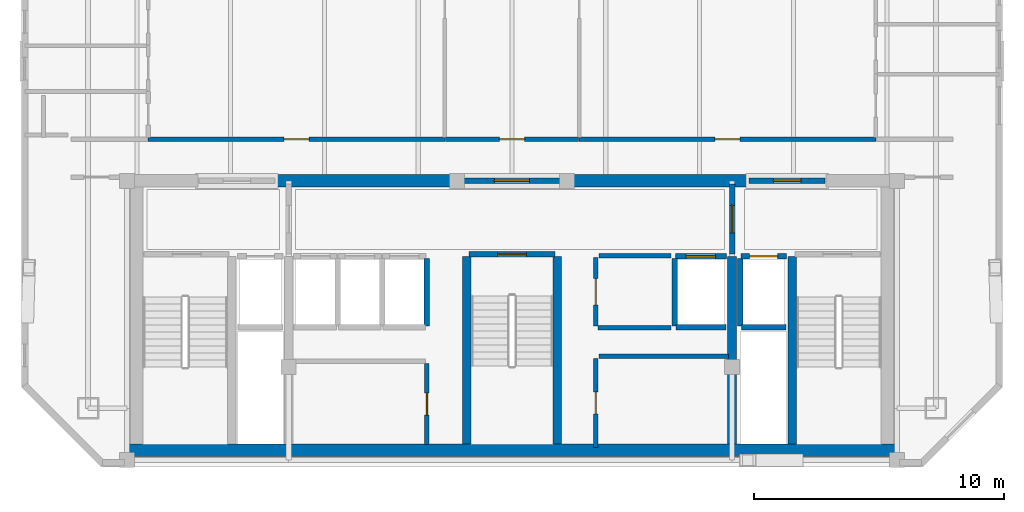
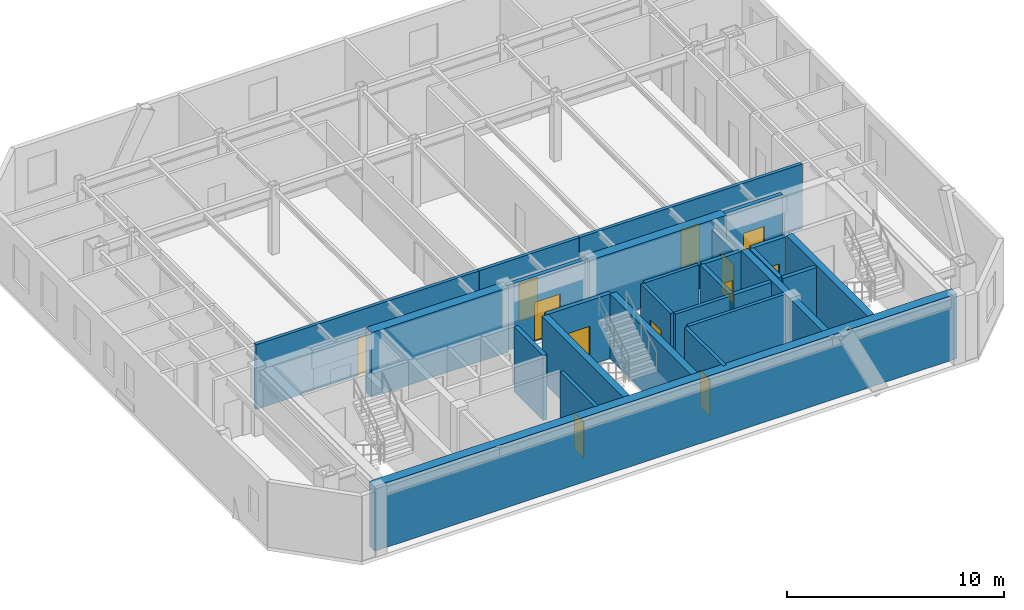
# One storey, part 3 of 7: 27 walls, 12 doors, 12 openings.
"""IFC4 building model written with IfcOpenShell, lengths in metres."""

from ifc_helpers import new_model, si_unit, direction, frame, frame_2d, origin, place, context, subcontext, project, spatial, rectangle, extrude, material, layer, layer_set, type_object, element, fill, save


model = new_model("IFC4")

# Units and contexts
model_context = context("Model", 3, precision=1e-05, world=origin(), true_north=direction((0.0, 1.0)))
body_context = subcontext(model_context, "Body", "Model", "MODEL_VIEW")
ifc_project = project(units=[si_unit("LENGTHUNIT", "METRE"), si_unit("AREAUNIT", "SQUARE_METRE"), si_unit("VOLUMEUNIT", "CUBIC_METRE"), si_unit("PLANEANGLEUNIT", "RADIAN"), si_unit("MASSUNIT", "GRAM", prefix="KILO")], contexts=[model_context])

# Site, building, storey
site_placement = place(None, origin())
site = spatial("IfcSite", under=ifc_project, at=site_placement, CompositionType="ELEMENT")
building_placement = place(site_placement, origin())
building = spatial("IfcBuilding", under=site, at=building_placement, Name="Ventersveld Concourse Tower", CompositionType="ELEMENT")
storey_placement = place(building_placement, frame((0.0, 0.0, 324.60009765625)))
storey = spatial("IfcBuildingStorey", under=building, at=storey_placement, Name="L80", CompositionType="ELEMENT", Elevation=324.60009765625)

# Walls
ifc_material_1 = material(Name="Concrete C50/60", Category="concrete")
ifc_layer_1 = layer(ifc_material_1, 0.35009765625)
ifc_layer_set_1 = layer_set([ifc_layer_1], Name="Concrete C50/60")
wall_type_1 = type_object("IfcWallType", Name="WL-CORE-350U", PredefinedType="SHEAR", material=ifc_layer_set_1)
for number, where, z_axis, x_axis, name in (
    (1, (26.93994140625, 0.919921875, 0.0), (0.0, 0.0, 1.0), (0.0, 1.0, 0.0), "L80 Core Internal Shear Web W-ST3-W"),
    (2, (30.56005859375, 0.919921875, 0.0), (0.0, 0.0, 1.0), (0.0, 1.0, 0.0), "L80 Core Internal Shear Web W-ST3-E"),
    (3, (37.550048828125, 0.919921875, 0.0), (0.0, 0.0, 1.0), (0.0, 1.0, 0.0), "L80 Core Internal Shear Web W-SVL-W"),
    (4, (39.9599609375, 0.919921875, 0.0), (0.0, 0.0, 1.0), (0.0, 1.0, 0.0), "L80 Core Internal Shear Web W-ST2-W"),
):
    element("IfcWall", number, at=place(storey_placement, frame(where, z_axis=z_axis, x_axis=x_axis)), inside=storey, type_object=wall_type_1, Name=name, PredefinedType="SHEAR", context=body_context, shape_type="SweptSolid", body=[
        extrude(rectangle(XDim=7.5, YDim=0.35009765625, at=frame_2d((3.75, 0.0))), origin(), (0.0, 0.0, 1.0), 3.64990234375),
    ])
ifc_layer_2 = layer(ifc_material_1, 0.5)
ifc_layer_set_2 = layer_set([ifc_layer_2], Name="Concrete C50/60")
wall_type_2 = type_object("IfcWallType", Name="WL-CORE-500", PredefinedType="SHEAR", material=ifc_layer_set_2)
wall_1_placement = place(storey_placement, frame((13.25, 0.669921875, 0.0), z_axis=(0.0, 0.0, 1.0), x_axis=(1.0, 0.0, 0.0)))
element("IfcWall", 5, at=wall_1_placement, inside=storey, type_object=wall_type_2, Name="L80 Rear Core South Shear Wall", PredefinedType="SHEAR", context=body_context, shape_type="SweptSolid", body=[
    extrude(rectangle(XDim=31.0, YDim=0.5, at=frame_2d((15.5, 0.0))), origin(), (0.0, 0.0, 1.0), 3.64990234375),
])
for number, where, z_axis, x_axis, name in (
    (6, (19.300048828125, 11.449951171875, 0.0), (0.0, 0.0, 1.0), (1.0, 0.0, 0.0), "L80 Rear Core North Shear Wall NML"),
    (7, (30.89990234375, 11.449951171875, 0.0), (0.0, 0.0, 1.0), (1.0, 0.0, 0.0), "L80 Rear Core North Shear Wall NMR"),
):
    element("IfcWall", number, at=place(storey_placement, frame(where, z_axis=z_axis, x_axis=x_axis)), inside=storey, type_object=wall_type_2, Name=name, PredefinedType="SHEAR", context=body_context, shape_type="SweptSolid", body=[
        extrude(rectangle(XDim=7.300048828125, YDim=0.5, at=frame_2d((3.64990234375, 0.0))), origin(), (0.0, 0.0, 1.0), 3.64990234375),
    ])

# Wall, opening, door
ifc_material_2 = material(Name="Fire-rated autoclaved aerated masonry blockwork", Category="masonry")
ifc_layer_3 = layer(ifc_material_2, 0.179931640625)
ifc_layer_set_3 = layer_set([ifc_layer_3], Name="Fire-rated autoclaved aerated masonry blockwork")
wall_type_3 = type_object("IfcWallType", Name="WL-CORR-180", PredefinedType="PARTITIONING", material=ifc_layer_set_3)
wall_2_placement = place(storey_placement, frame((25.35009765625, 0.89990234375, 0.0), z_axis=(0.0, 0.0, 1.0), x_axis=(0.0, 1.0, 0.0)))
wall_2 = element("IfcWall", 8, at=wall_2_placement, inside=storey, type_object=wall_type_3, Name="L80 Core Passage Wall SP-L80-RECB1A", PredefinedType="PARTITIONING", context=body_context, shape_type="SweptSolid", body=[
    extrude(rectangle(XDim=3.239990234375, YDim=0.179931640625, at=frame_2d((1.6201171875, 0.0))), origin(), (0.0, 0.0, 1.0), 3.64990234375),
])
opening_1_placement = place(wall_2_placement, frame((1.179931640625, 0.0, 0.0)))
opening_1 = element("IfcOpeningElement", 9, at=opening_1_placement, cuts=wall_2, Name="Opening FD5", PredefinedType="OPENING", context=body_context, shape_type="SweptSolid", body=[
    extrude(rectangle(XDim=0.8798828125, YDim=2.050048828125, at=frame_2d((0.43994140625, 1.02490234375))), frame((0.0, 0.10009765625, 0.0), z_axis=(0.0, -1.0, 0.0), x_axis=(1.0, 0.0, 0.0)), (0.0, 0.0, 1.0), 0.199951171875),
])
ifc_material_3 = material(Name="Galvanised painted steel", Category="steel")
door_type_1 = type_object("IfcDoorType", Name="DR-RISER-088", OperationType="NOTDEFINED", PredefinedType="DOOR", material=ifc_material_3)
door_1_placement = place(opening_1_placement, origin())
door_1 = element("IfcDoor", 10, at=door_1_placement, inside=storey, type_object=door_type_1, Name="L80 Core Room Door L80 Reclaimed Core Quiet Study Pod (CD-L80-3636)", OperationType="SINGLE_SWING_LEFT", OverallHeight=2.050048828125, OverallWidth=0.8798828125, PredefinedType="DOOR", context=body_context, shape_type="SweptSolid", body=[
    extrude(rectangle(XDim=0.8798828125, YDim=2.050048828125, at=frame_2d((0.43994140625, 1.02490234375))), frame((0.0, 0.02490234375, 0.0), z_axis=(0.0, -1.0, 0.0), x_axis=(1.0, 0.0, 0.0)), (0.0, 0.0, 1.0), 0.050048828125),
])
fill(opening_1, door_1)

wall_3_placement = place(storey_placement, frame((32.10009765625, 0.780029296875, 0.0), z_axis=(0.0, 0.0, 1.0), x_axis=(0.0, 1.0, 0.0)))
wall_3 = element("IfcWall", 11, at=wall_3_placement, inside=storey, type_object=wall_type_3, Name="L80 Core Passage Wall SP-L80-RECB2A", PredefinedType="PARTITIONING", context=body_context, shape_type="SweptSolid", body=[
    extrude(rectangle(XDim=3.570068359375, YDim=0.179931640625, at=frame_2d((1.78515625, 0.0))), origin(), (0.0, 0.0, 1.0), 3.64990234375),
])
opening_2_placement = place(wall_3_placement, frame((1.344970703125, 0.0, 0.0)))
opening_2 = element("IfcOpeningElement", 12, at=opening_2_placement, cuts=wall_3, Name="Opening FD5", PredefinedType="OPENING", context=body_context, shape_type="SweptSolid", body=[
    extrude(rectangle(XDim=0.8798828125, YDim=2.050048828125, at=frame_2d((0.43994140625, 1.02490234375))), frame((0.0, 0.10009765625, 0.0), z_axis=(0.0, -1.0, 0.0), x_axis=(1.0, 0.0, 0.0)), (0.0, 0.0, 1.0), 0.199951171875),
])
door_2_placement = place(opening_2_placement, origin())
door_2 = element("IfcDoor", 13, at=door_2_placement, inside=storey, type_object=door_type_1, Name="L80 Core Room Door L80 Reclaimed Core Co-Working Study (CD-L80-3637)", OperationType="SINGLE_SWING_RIGHT", OverallHeight=2.050048828125, OverallWidth=0.8798828125, PredefinedType="DOOR", context=body_context, shape_type="SweptSolid", body=[
    extrude(rectangle(XDim=0.8798828125, YDim=2.050048828125, at=frame_2d((0.43994140625, 1.02490234375))), frame((0.0, 0.02490234375, 0.0), z_axis=(0.0, -1.0, 0.0), x_axis=(1.0, 0.0, 0.0)), (0.0, 0.0, 1.0), 0.050048828125),
])
fill(opening_2, door_2)

# Wall
wall_4_placement = place(storey_placement, frame((32.219970703125, 4.429931640625, 0.0), z_axis=(0.0, 0.0, 1.0), x_axis=(1.0, 0.0, 0.0)))
element("IfcWall", 14, at=wall_4_placement, inside=storey, type_object=wall_type_3, Name="L80 Core Top Wall SP-L80-RECB2A", PredefinedType="PARTITIONING", context=body_context, shape_type="SweptSolid", body=[
    extrude(rectangle(XDim=5.179931640625, YDim=0.179931640625, at=frame_2d((2.58984375, 0.0))), origin(), (0.0, 0.0, 1.0), 3.64990234375),
])

# Wall, opening, door
wall_5_placement = place(storey_placement, frame((32.10009765625, 5.64990234375, 0.0), z_axis=(0.0, 0.0, 1.0), x_axis=(0.0, 1.0, 0.0)))
wall_5 = element("IfcWall", 15, at=wall_5_placement, inside=storey, type_object=wall_type_3, Name="L80 Core Passage Wall SP-L80-CBAY1", PredefinedType="PARTITIONING", context=body_context, shape_type="SweptSolid", body=[
    extrude(rectangle(XDim=2.72998046875, YDim=0.179931640625, at=frame_2d((1.364990234375, 0.0))), origin(), (0.0, 0.0, 1.0), 3.64990234375),
])
opening_3_placement = place(wall_5_placement, frame((0.840087890625, 0.0, 0.0)))
opening_3 = element("IfcOpeningElement", 16, at=opening_3_placement, cuts=wall_5, Name="Opening ID3", PredefinedType="OPENING", context=body_context, shape_type="SweptSolid", body=[
    extrude(rectangle(XDim=1.050048828125, YDim=2.14990234375, at=frame_2d((0.52490234375, 1.074951171875))), frame((0.0, 0.10009765625, 0.0), z_axis=(0.0, -1.0, 0.0), x_axis=(1.0, 0.0, 0.0)), (0.0, 0.0, 1.0), 0.199951171875),
])
ifc_material_4 = material(Name="Solid-core hardwood veneer timber", Category="wood")
door_type_2 = type_object("IfcDoorType", Name="DR-AWC-105", OperationType="NOTDEFINED", PredefinedType="DOOR", material=ifc_material_4)
door_3_placement = place(opening_3_placement, origin())
door_3 = element("IfcDoor", 17, at=door_3_placement, inside=storey, type_object=door_type_2, Name="L80 Core Room Door L80 Core Unisex Accessible WC (CD-L80-3638)", OperationType="SINGLE_SWING_LEFT", OverallHeight=2.14990234375, OverallWidth=1.050048828125, PredefinedType="DOOR", context=body_context, shape_type="SweptSolid", body=[
    extrude(rectangle(XDim=1.050048828125, YDim=2.14990234375, at=frame_2d((0.52490234375, 1.074951171875))), frame((0.0, 0.02490234375, 0.0), z_axis=(0.0, -1.0, 0.0), x_axis=(1.0, 0.0, 0.0)), (0.0, 0.0, 1.0), 0.050048828125),
])
fill(opening_3, door_3)

# Walls
wall_6_placement = place(storey_placement, frame((32.219970703125, 8.4599609375, 0.0), z_axis=(0.0, 0.0, 1.0), x_axis=(1.0, 0.0, 0.0)))
element("IfcWall", 18, at=wall_6_placement, inside=storey, type_object=wall_type_3, Name="L80 Core Top Wall SP-L80-CBAY1", PredefinedType="PARTITIONING", context=body_context, shape_type="SweptSolid", body=[
    extrude(rectangle(XDim=2.880126953125, YDim=0.179931640625, at=frame_2d((1.43994140625, 0.0))), origin(), (0.0, 0.0, 1.0), 3.64990234375),
])
wall_7_placement = place(storey_placement, frame((32.179931640625, 5.570068359375, 0.0), z_axis=(0.0, 0.0, 1.0), x_axis=(1.0, 0.0, 0.0)))
element("IfcWall", 19, at=wall_7_placement, inside=storey, type_object=wall_type_3, Name="L80 Core Bot Wall SP-L80-CBAY1", PredefinedType="PARTITIONING", context=body_context, shape_type="SweptSolid", body=[
    extrude(rectangle(XDim=2.920166015625, YDim=0.179931640625, at=frame_2d((1.4599609375, 0.0))), origin(), (0.0, 0.0, 1.0), 3.64990234375),
])

# Wall, opening, door
wall_8_placement = place(storey_placement, frame((14.2001953125, 13.114990234375, 0.0), z_axis=(0.0, 0.0, 1.0), x_axis=(1.0, 0.0, 0.0)))
wall_8 = element("IfcWall", 20, at=wall_8_placement, inside=storey, type_object=wall_type_3, Name="L80 Interior Partition SP-L80-COR-SP-L80-80N1-WGAL1", PredefinedType="PARTITIONING", context=body_context, shape_type="SweptSolid", body=[
    extrude(rectangle(XDim=11.86474609375, YDim=0.179931640625, at=frame_2d((5.932373046875, 0.0))), origin(), (0.0, 0.0, 1.0), 3.64990234375),
])
opening_4_placement = place(wall_8_placement, frame((5.432373046875, 0.0, 0.0)))
opening_4 = element("IfcOpeningElement", 21, at=opening_4_placement, cuts=wall_8, Name="Opening FD3", PredefinedType="OPENING", context=body_context, shape_type="SweptSolid", body=[
    extrude(rectangle(XDim=1.0, YDim=2.14990234375, at=frame_2d((0.5, 1.074951171875))), frame((0.0, 0.10009765625, 0.0), z_axis=(0.0, -1.0, 0.0), x_axis=(1.0, 0.0, 0.0)), (0.0, 0.0, 1.0), 0.199951171875),
])
door_type_3 = type_object("IfcDoorType", Name="DR-FLAT-100", OperationType="NOTDEFINED", PredefinedType="DOOR", material=ifc_material_4)
door_4_placement = place(opening_4_placement, origin())
door_4 = element("IfcDoor", 22, at=door_4_placement, inside=storey, type_object=door_type_3, Name="L80 Interior Door SP-L80-COR to SP-L80-80N1-WGAL1 (FD-L80-3641)", OperationType="SINGLE_SWING_LEFT", OverallHeight=2.14990234375, OverallWidth=1.0, PredefinedType="DOOR", context=body_context, shape_type="SweptSolid", body=[
    extrude(rectangle(XDim=1.0, YDim=2.14990234375, at=frame_2d((0.5, 1.074951171875))), frame((0.0, 0.02490234375, 0.0), z_axis=(0.0, -1.0, 0.0), x_axis=(1.0, 0.0, 0.0)), (0.0, 0.0, 1.0), 0.050048828125),
])
fill(opening_4, door_4)

wall_9_placement = place(storey_placement, frame((31.43505859375, 13.114990234375, 0.0), z_axis=(0.0, 0.0, 1.0), x_axis=(1.0, 0.0, 0.0)))
wall_9 = element("IfcWall", 23, at=wall_9_placement, inside=storey, type_object=wall_type_3, Name="L80 Interior Partition SP-L80-COR-SP-L80-80N1-EGAL1", PredefinedType="PARTITIONING", context=body_context, shape_type="SweptSolid", body=[
    extrude(rectangle(XDim=11.86474609375, YDim=0.179931640625, at=frame_2d((5.932373046875, 0.0))), origin(), (0.0, 0.0, 1.0), 3.64990234375),
])
opening_5_placement = place(wall_9_placement, frame((5.432373046875, 0.0, 0.0)))
opening_5 = element("IfcOpeningElement", 24, at=opening_5_placement, cuts=wall_9, Name="Opening FD3", PredefinedType="OPENING", context=body_context, shape_type="SweptSolid", body=[
    extrude(rectangle(XDim=1.0, YDim=2.14990234375, at=frame_2d((0.5, 1.074951171875))), frame((0.0, 0.10009765625, 0.0), z_axis=(0.0, -1.0, 0.0), x_axis=(1.0, 0.0, 0.0)), (0.0, 0.0, 1.0), 0.199951171875),
])
door_5_placement = place(opening_5_placement, origin())
door_5 = element("IfcDoor", 25, at=door_5_placement, inside=storey, type_object=door_type_3, Name="L80 Interior Door SP-L80-COR to SP-L80-80N1-EGAL1 (FD-L80-3642)", OperationType="SINGLE_SWING_RIGHT", OverallHeight=2.14990234375, OverallWidth=1.0, PredefinedType="DOOR", context=body_context, shape_type="SweptSolid", body=[
    extrude(rectangle(XDim=1.0, YDim=2.14990234375, at=frame_2d((0.5, 1.074951171875))), frame((0.0, 0.02490234375, 0.0), z_axis=(0.0, -1.0, 0.0), x_axis=(1.0, 0.0, 0.0)), (0.0, 0.0, 1.0), 0.050048828125),
])
fill(opening_5, door_5)

wall_10_placement = place(storey_placement, frame((26.094970703125, 13.114990234375, 0.0), z_axis=(0.0, 0.0, 1.0), x_axis=(1.0, 0.0, 0.0)))
wall_10 = element("IfcWall", 26, at=wall_10_placement, inside=storey, type_object=wall_type_3, Name="L80 Interior Partition SP-L80-COR-SP-L80-80N1-FOY", PredefinedType="PARTITIONING", context=body_context, shape_type="SweptSolid", body=[
    extrude(rectangle(XDim=5.31005859375, YDim=0.179931640625, at=frame_2d((2.655029296875, 0.0))), origin(), (0.0, 0.0, 1.0), 3.64990234375),
])
opening_6_placement = place(wall_10_placement, frame((2.155029296875, 0.0, 0.0)))
opening_6 = element("IfcOpeningElement", 27, at=opening_6_placement, cuts=wall_10, Name="Opening FD3", PredefinedType="OPENING", context=body_context, shape_type="SweptSolid", body=[
    extrude(rectangle(XDim=1.0, YDim=2.14990234375, at=frame_2d((0.5, 1.074951171875))), frame((0.0, 0.10009765625, 0.0), z_axis=(0.0, -1.0, 0.0), x_axis=(1.0, 0.0, 0.0)), (0.0, 0.0, 1.0), 0.199951171875),
])
door_6_placement = place(opening_6_placement, origin())
door_6 = element("IfcDoor", 28, at=door_6_placement, inside=storey, type_object=door_type_3, Name="L80 Interior Door SP-L80-COR to SP-L80-80N1-FOY (FD-L80-3643)", OperationType="SINGLE_SWING_LEFT", OverallHeight=2.14990234375, OverallWidth=1.0, PredefinedType="DOOR", context=body_context, shape_type="SweptSolid", body=[
    extrude(rectangle(XDim=1.0, YDim=2.14990234375, at=frame_2d((0.5, 1.074951171875))), frame((0.0, 0.02490234375, 0.0), z_axis=(0.0, -1.0, 0.0), x_axis=(1.0, 0.0, 0.0)), (0.0, 0.0, 1.0), 0.050048828125),
])
fill(opening_6, door_6)

# Walls
ifc_layer_4 = layer(ifc_material_2, 0.219970703125)
ifc_layer_set_4 = layer_set([ifc_layer_4], Name="Fire-rated autoclaved aerated masonry blockwork")
wall_type_4 = type_object("IfcWallType", Name="WL-HOIST-220", PredefinedType="SOLIDWALL", material=ifc_layer_set_4)
wall_11_placement = place(storey_placement, frame((37.919921875, 5.590087890625, 0.0), z_axis=(0.0, 0.0, 1.0), x_axis=(1.0, 0.0, 0.0)))
element("IfcWall", 29, at=wall_11_placement, inside=storey, type_object=wall_type_4, Name="L80 Lift Hoistway Back Wall FFL-02", PredefinedType="SOLIDWALL", context=body_context, shape_type="SweptSolid", body=[
    extrude(rectangle(XDim=1.780029296875, YDim=0.219970703125, at=frame_2d((0.89013671875, 0.0))), origin(), (0.0, 0.0, 1.0), 3.64990234375),
])
wall_12_placement = place(storey_placement, frame((37.8798828125, 5.64990234375, 0.0), z_axis=(0.0, 0.0, 1.0), x_axis=(0.0, 1.0, 0.0)))
element("IfcWall", 30, at=wall_12_placement, inside=storey, type_object=wall_type_4, Name="L80 Lift Hoistway Side Wall FFL-02W", PredefinedType="SOLIDWALL", context=body_context, shape_type="SweptSolid", body=[
    extrude(rectangle(XDim=2.7001953125, YDim=0.219970703125, at=frame_2d((1.35009765625, 0.0))), origin(), (0.0, 0.0, 1.0), 3.64990234375),
])

# Wall, opening, door
wall_13_placement = place(storey_placement, frame((37.89990234375, 8.429931640625, 0.0), z_axis=(0.0, 0.0, 1.0), x_axis=(1.0, 0.0, 0.0)))
wall_13 = element("IfcWall", 31, at=wall_13_placement, inside=storey, type_object=wall_type_4, Name="L80 Lift Hoistway Front Wall FFL-02", PredefinedType="SOLIDWALL", context=body_context, shape_type="SweptSolid", body=[
    extrude(rectangle(XDim=1.820068359375, YDim=0.219970703125, at=frame_2d((0.91015625, 0.0))), origin(), (0.0, 0.0, 1.0), 3.64990234375),
])
opening_7_placement = place(wall_13_placement, frame((0.35009765625, 0.0, 0.0)))
opening_7 = element("IfcOpeningElement", 32, at=opening_7_placement, cuts=wall_13, Name="Opening LD1", PredefinedType="OPENING", context=body_context, shape_type="SweptSolid", body=[
    extrude(rectangle(XDim=1.1201171875, YDim=2.25, at=frame_2d((0.56005859375, 1.125))), frame((0.0, 0.1201171875, 0.0), z_axis=(0.0, -1.0, 0.0), x_axis=(1.0, 0.0, 0.0)), (0.0, 0.0, 1.0), 0.239990234375),
])
ifc_material_5 = material(Name="Brushed stainless steel 316", Category="steel")
door_type_4 = type_object("IfcDoorType", Name="LD-FF-112", OperationType="SLIDING_TO_LEFT", PredefinedType="DOOR", material=ifc_material_5)
door_7_placement = place(opening_7_placement, origin())
door_7 = element("IfcDoor", 33, at=door_7_placement, inside=storey, type_object=door_type_4, Name="L80 Lift landing door FFL-02 (LD-L80-FFL-02)", OperationType="SLIDING_TO_LEFT", OverallHeight=2.25, OverallWidth=1.1201171875, PredefinedType="DOOR", context=body_context, shape_type="SweptSolid", body=[
    extrude(rectangle(XDim=1.1201171875, YDim=2.25, at=frame_2d((0.56005859375, 1.125))), frame((0.0, 0.02490234375, 0.0), z_axis=(0.0, -1.0, 0.0), x_axis=(1.0, 0.0, 0.0)), (0.0, 0.0, 1.0), 0.050048828125),
])
fill(opening_7, door_7)

# Walls
wall_14_placement = place(storey_placement, frame((35.300048828125, 5.590087890625, 0.0), z_axis=(0.0, 0.0, 1.0), x_axis=(1.0, 0.0, 0.0)))
element("IfcWall", 34, at=wall_14_placement, inside=storey, type_object=wall_type_4, Name="L80 Lift Hoistway Back Wall SVL-01", PredefinedType="SOLIDWALL", context=body_context, shape_type="SweptSolid", body=[
    extrude(rectangle(XDim=2.0, YDim=0.219970703125, at=frame_2d((1.0, 0.0))), origin(), (0.0, 0.0, 1.0), 3.64990234375),
])
wall_15_placement = place(storey_placement, frame((35.260009765625, 5.64990234375, 0.0), z_axis=(0.0, 0.0, 1.0), x_axis=(0.0, 1.0, 0.0)))
element("IfcWall", 35, at=wall_15_placement, inside=storey, type_object=wall_type_4, Name="L80 Lift Hoistway Side Wall SVL-01W", PredefinedType="SOLIDWALL", context=body_context, shape_type="SweptSolid", body=[
    extrude(rectangle(XDim=2.7001953125, YDim=0.219970703125, at=frame_2d((1.35009765625, 0.0))), origin(), (0.0, 0.0, 1.0), 3.64990234375),
])

# Wall, opening, door
wall_16_placement = place(storey_placement, frame((35.280029296875, 8.429931640625, 0.0), z_axis=(0.0, 0.0, 1.0), x_axis=(1.0, 0.0, 0.0)))
wall_16 = element("IfcWall", 36, at=wall_16_placement, inside=storey, type_object=wall_type_4, Name="L80 Lift Hoistway Front Wall SVL-01", PredefinedType="SOLIDWALL", context=body_context, shape_type="SweptSolid", body=[
    extrude(rectangle(XDim=2.0400390625, YDim=0.219970703125, at=frame_2d((1.02001953125, 0.0))), origin(), (0.0, 0.0, 1.0), 3.64990234375),
])
opening_8_placement = place(wall_16_placement, frame((0.429931640625, 0.0, 0.0)))
opening_8 = element("IfcOpeningElement", 37, at=opening_8_placement, cuts=wall_16, Name="Opening LD2", PredefinedType="OPENING", context=body_context, shape_type="SweptSolid", body=[
    extrude(rectangle(XDim=1.179931640625, YDim=2.199951171875, at=frame_2d((0.58984375, 1.10009765625))), frame((0.0, 0.1201171875, 0.0), z_axis=(0.0, -1.0, 0.0), x_axis=(1.0, 0.0, 0.0)), (0.0, 0.0, 1.0), 0.239990234375),
])
door_type_5 = type_object("IfcDoorType", Name="LD-PAX-118", OperationType="SLIDING_TO_LEFT", PredefinedType="DOOR", material=ifc_material_5)
door_8_placement = place(opening_8_placement, origin())
door_8 = element("IfcDoor", 38, at=door_8_placement, inside=storey, type_object=door_type_5, Name="L80 Lift landing door SVL-01 (LD-L80-SVL-01)", OperationType="SLIDING_TO_RIGHT", OverallHeight=2.199951171875, OverallWidth=1.179931640625, PredefinedType="DOOR", context=body_context, shape_type="SweptSolid", body=[
    extrude(rectangle(XDim=1.179931640625, YDim=2.199951171875, at=frame_2d((0.58984375, 1.10009765625))), frame((0.0, 0.02490234375, 0.0), z_axis=(0.0, -1.0, 0.0), x_axis=(1.0, 0.0, 0.0)), (0.0, 0.0, 1.0), 0.050048828125),
])
fill(opening_8, door_8)

# Wall
wall_17_placement = place(storey_placement, frame((25.340087890625, 5.64990234375, 0.0), z_axis=(0.0, 0.0, 1.0), x_axis=(0.0, 1.0, 0.0)))
element("IfcWall", 39, at=wall_17_placement, inside=storey, type_object=wall_type_4, Name="L80 Lift Hoistway Side Wall PH-03E", PredefinedType="SOLIDWALL", context=body_context, shape_type="SweptSolid", body=[
    extrude(rectangle(XDim=2.7001953125, YDim=0.219970703125, at=frame_2d((1.35009765625, 0.0))), origin(), (0.0, 0.0, 1.0), 3.64990234375),
])

# Wall, opening, door
wall_18_placement = place(storey_placement, frame((27.0400390625, 8.52001953125, 0.0), z_axis=(0.0, 0.0, 1.0), x_axis=(1.0, 0.0, 0.0)))
wall_18 = element("IfcWall", 40, at=wall_18_placement, inside=storey, type_object=wall_type_4, Name="L80 Escape Stair ST03 Fire Wall", PredefinedType="SOLIDWALL", context=body_context, shape_type="SweptSolid", body=[
    extrude(rectangle(XDim=3.419921875, YDim=0.219970703125, at=frame_2d((1.7099609375, 0.0))), origin(), (0.0, 0.0, 1.0), 3.64990234375),
])
opening_9_placement = place(wall_18_placement, frame((1.135009765625, 0.0, 0.0)))
opening_9 = element("IfcOpeningElement", 41, at=opening_9_placement, cuts=wall_18, Name="Opening FD1", PredefinedType="OPENING", context=body_context, shape_type="SweptSolid", body=[
    extrude(rectangle(XDim=1.14990234375, YDim=2.199951171875, at=frame_2d((0.574951171875, 1.10009765625))), frame((0.0, 0.1201171875, 0.0), z_axis=(0.0, -1.0, 0.0), x_axis=(1.0, 0.0, 0.0)), (0.0, 0.0, 1.0), 0.239990234375),
])
door_type_6 = type_object("IfcDoorType", Name="DR-STAIR-115", OperationType="NOTDEFINED", PredefinedType="DOOR", material=ifc_material_3)
door_9_placement = place(opening_9_placement, origin())
door_9 = element("IfcDoor", 42, at=door_9_placement, inside=storey, type_object=door_type_6, Name="L80 Escape Stair Door ST03 (SD-L80-3630)", OperationType="SINGLE_SWING_LEFT", OverallHeight=2.199951171875, OverallWidth=1.14990234375, PredefinedType="DOOR", context=body_context, shape_type="SweptSolid", body=[
    extrude(rectangle(XDim=1.14990234375, YDim=2.199951171875, at=frame_2d((0.574951171875, 1.10009765625))), frame((0.0, 0.02490234375, 0.0), z_axis=(0.0, -1.0, 0.0), x_axis=(1.0, 0.0, 0.0)), (0.0, 0.0, 1.0), 0.050048828125),
])
fill(opening_9, door_9)

wall_19_placement = place(storey_placement, frame((37.550048828125, 8.52001953125, 0.0), z_axis=(0.0, 0.0, 1.0), x_axis=(0.0, 1.0, 0.0)))
wall_19 = element("IfcWall", 43, at=wall_19_placement, inside=storey, type_object=wall_type_4, Name="L80 Firefighting Lobby Smoke-Stop Wall FFLE-SEP", PredefinedType="SOLIDWALL", context=body_context, shape_type="SweptSolid", body=[
    extrude(rectangle(XDim=2.800048828125, YDim=0.219970703125, at=frame_2d((1.39990234375, 0.0))), origin(), (0.0, 0.0, 1.0), 3.10546875),
])
opening_10_placement = place(wall_19_placement, frame((0.85009765625, 0.0, 0.0)))
opening_10 = element("IfcOpeningElement", 44, at=opening_10_placement, cuts=wall_19, Name="Opening FD2", PredefinedType="OPENING", context=body_context, shape_type="SweptSolid", body=[
    extrude(rectangle(XDim=1.10009765625, YDim=2.199951171875, at=frame_2d((0.550048828125, 1.10009765625))), frame((0.0, 0.1201171875, 0.0), z_axis=(0.0, -1.0, 0.0), x_axis=(1.0, 0.0, 0.0)), (0.0, 0.0, 1.0), 0.239990234375),
])
door_type_7 = type_object("IfcDoorType", Name="DR-FFL-110", OperationType="NOTDEFINED", PredefinedType="DOOR", material=ifc_material_3)
door_10_placement = place(opening_10_placement, origin())
door_10 = element("IfcDoor", 45, at=door_10_placement, inside=storey, type_object=door_type_7, Name="L80 Firefighting Lobby Door FFLE-SEP (FD-L80-3632)", OperationType="SINGLE_SWING_RIGHT", OverallHeight=2.199951171875, OverallWidth=1.10009765625, PredefinedType="DOOR", context=body_context, shape_type="SweptSolid", body=[
    extrude(rectangle(XDim=1.10009765625, YDim=2.199951171875, at=frame_2d((0.550048828125, 1.10009765625))), frame((0.0, 0.02490234375, 0.0), z_axis=(0.0, -1.0, 0.0), x_axis=(1.0, 0.0, 0.0)), (0.0, 0.0, 1.0), 0.050048828125),
])
fill(opening_10, door_10)

wall_20_placement = place(storey_placement, frame((26.6298828125, 11.449951171875, 0.0), z_axis=(0.0, 0.0, 1.0), x_axis=(1.0, 0.0, 0.0)))
wall_20 = element("IfcWall", 46, at=wall_20_placement, inside=storey, type_object=wall_type_4, Name="L80 Core North Fire Portal PLOB-OUT", PredefinedType="SOLIDWALL", context=body_context, shape_type="SweptSolid", body=[
    extrude(rectangle(XDim=4.240234375, YDim=0.219970703125, at=frame_2d((2.1201171875, 0.0))), origin(), (0.0, 0.0, 1.0), 3.64990234375),
])
opening_11_placement = place(wall_20_placement, frame((1.419921875, 0.0, 0.0)))
opening_11 = element("IfcOpeningElement", 47, at=opening_11_placement, cuts=wall_20, Name="Opening FD4", PredefinedType="OPENING", context=body_context, shape_type="SweptSolid", body=[
    extrude(rectangle(XDim=1.39990234375, YDim=2.199951171875, at=frame_2d((0.699951171875, 1.10009765625))), frame((0.0, 0.1201171875, 0.0), z_axis=(0.0, -1.0, 0.0), x_axis=(1.0, 0.0, 0.0)), (0.0, 0.0, 1.0), 0.239990234375),
])
door_type_8 = type_object("IfcDoorType", Name="DR-PLANT-140", OperationType="DOUBLE_DOOR_SINGLE_SWING", PredefinedType="DOOR", material=ifc_material_3)
door_11_placement = place(opening_11_placement, origin())
door_11 = element("IfcDoor", 48, at=door_11_placement, inside=storey, type_object=door_type_8, Name="L80 Core Lobby Fire Door PLOB-OUT (FD-L80-3634)", OperationType="DOUBLE_DOOR_SINGLE_SWING", OverallHeight=2.199951171875, OverallWidth=1.39990234375, PredefinedType="DOOR", context=body_context, shape_type="SweptSolid", body=[
    extrude(rectangle(XDim=1.39990234375, YDim=2.199951171875, at=frame_2d((0.699951171875, 1.10009765625))), frame((0.0, 0.02490234375, 0.0), z_axis=(0.0, -1.0, 0.0), x_axis=(1.0, 0.0, 0.0)), (0.0, 0.0, 1.0), 0.050048828125),
])
fill(opening_11, door_11)

wall_21_placement = place(storey_placement, frame((38.22998046875, 11.449951171875, 0.0), z_axis=(0.0, 0.0, 1.0), x_axis=(1.0, 0.0, 0.0)))
wall_21 = element("IfcWall", 49, at=wall_21_placement, inside=storey, type_object=wall_type_4, Name="L80 Core North Fire Portal FFLE-OUT", PredefinedType="SOLIDWALL", context=body_context, shape_type="SweptSolid", body=[
    extrude(rectangle(XDim=3.0400390625, YDim=0.219970703125, at=frame_2d((1.52001953125, 0.0))), origin(), (0.0, 0.0, 1.0), 3.64990234375),
])
opening_12_placement = place(wall_21_placement, frame((0.969970703125, 0.0, 0.0)))
opening_12 = element("IfcOpeningElement", 50, at=opening_12_placement, cuts=wall_21, Name="Opening FD2", PredefinedType="OPENING", context=body_context, shape_type="SweptSolid", body=[
    extrude(rectangle(XDim=1.10009765625, YDim=2.199951171875, at=frame_2d((0.550048828125, 1.10009765625))), frame((0.0, 0.1201171875, 0.0), z_axis=(0.0, -1.0, 0.0), x_axis=(1.0, 0.0, 0.0)), (0.0, 0.0, 1.0), 0.239990234375),
])
door_12_placement = place(opening_12_placement, origin())
door_12 = element("IfcDoor", 51, at=door_12_placement, inside=storey, type_object=door_type_7, Name="L80 Core Lobby Fire Door FFLE-OUT (FD-L80-3635)", OperationType="SINGLE_SWING_LEFT", OverallHeight=2.199951171875, OverallWidth=1.10009765625, PredefinedType="DOOR", context=body_context, shape_type="SweptSolid", body=[
    extrude(rectangle(XDim=1.10009765625, YDim=2.199951171875, at=frame_2d((0.550048828125, 1.10009765625))), frame((0.0, 0.02490234375, 0.0), z_axis=(0.0, -1.0, 0.0), x_axis=(1.0, 0.0, 0.0)), (0.0, 0.0, 1.0), 0.050048828125),
])
fill(opening_12, door_12)

save(model, "model.ifc")
